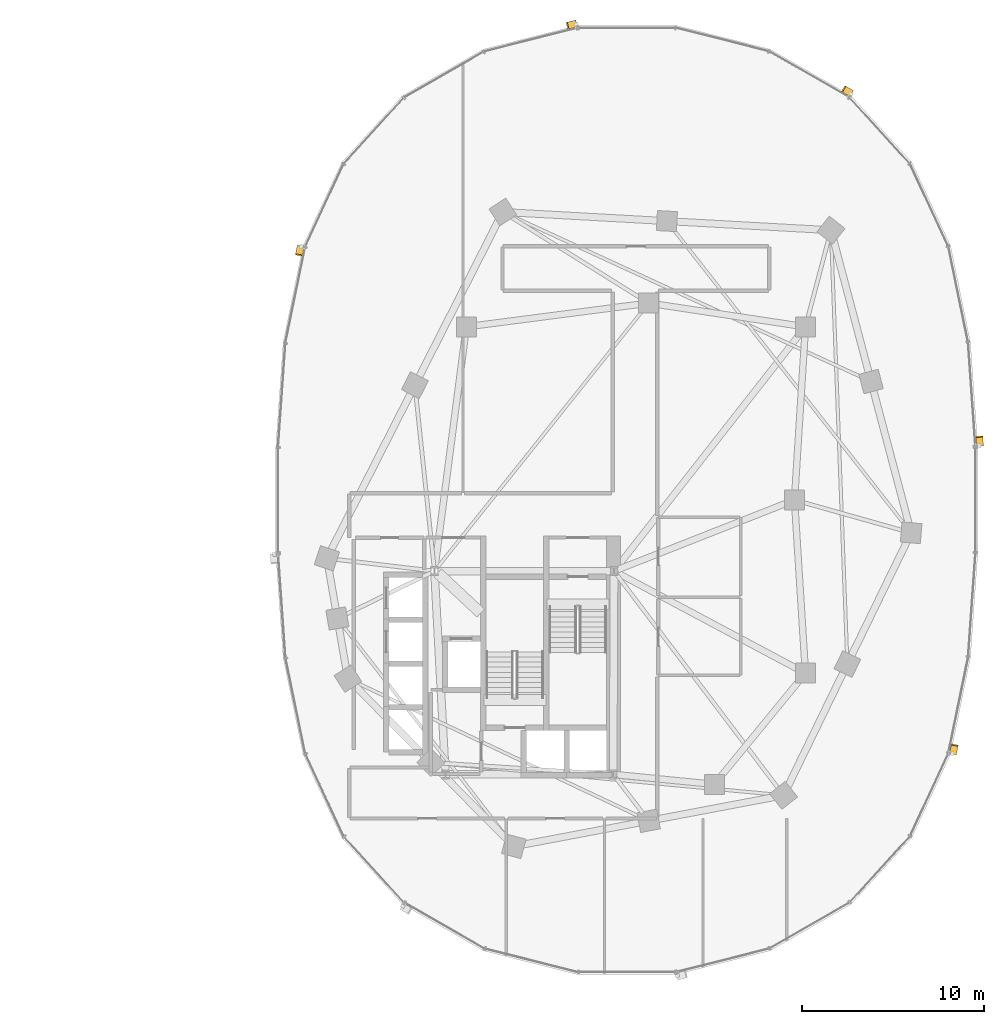
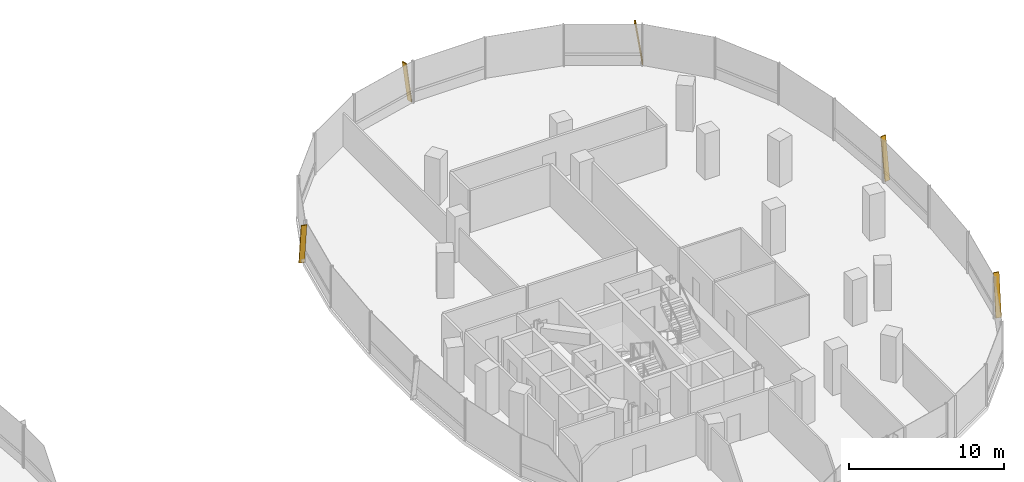
# One storey, part 20 of 20: 5 shading devices.
"""IFC4 building model written with IfcOpenShell, lengths in metres."""

from ifc_helpers import new_model, si_unit, direction, frame, origin, origin_2d, place, context, subcontext, project, spatial, rectangle, extrude, material, material_profile, profile_set, type_object, element, save


model = new_model("IFC4")

# Units and contexts
model_context = context("Model", 3, precision=1e-05, world=origin(), true_north=direction((0.0, 1.0)))
body_context = subcontext(model_context, "Body", "Model", "MODEL_VIEW")
ifc_project = project(units=[si_unit("LENGTHUNIT", "METRE"), si_unit("AREAUNIT", "SQUARE_METRE"), si_unit("VOLUMEUNIT", "CUBIC_METRE"), si_unit("PLANEANGLEUNIT", "RADIAN"), si_unit("MASSUNIT", "GRAM", prefix="KILO"), si_unit("THERMODYNAMICTEMPERATUREUNIT", "KELVIN"), si_unit("POWERUNIT", "WATT")], contexts=[model_context])

# Site, building, storey
site_placement = place(None, origin())
site = spatial("IfcSite", under=ifc_project, at=site_placement, CompositionType="ELEMENT")
building_placement = place(site_placement, origin())
building = spatial("IfcBuilding", under=site, at=building_placement, Name="Cundina Bronze Exchange", CompositionType="ELEMENT")
storey_placement = place(building_placement, frame((0.0, 0.0, 125.0)))
storey = spatial("IfcBuildingStorey", under=building, at=storey_placement, Name="L32", CompositionType="ELEMENT", Elevation=125.0)

# Shading devices
ifc_material = material(Name="Anodised Bronze Aluminium 6063-T6", Category="aluminium")
ifc_material_profile = material_profile(ifc_material, rectangle(XDim=0.070068359375, YDim=0.3798828125, at=origin_2d()), Name="FIN70X380", Category="aluminium")
ifc_profile_set = profile_set([ifc_material_profile], Name="Anodised Bronze Aluminium 6063-T6")
shading_device_type = type_object("IfcShadingDeviceType", Name="SHD-FIN-BRZ380", PredefinedType="USERDEFINED", material=ifc_profile_set)
for number, where, z_axis, x_axis, name in (
    (1, (51.3740234375, 2.993896484375, 0.02001953125), (-0.010224545828, 0.145292278041, 0.989335945271), (0.069450050635, -0.986895284755, 0.145651595925), "L32 Diagonal Bronze Solar Fin 1"),
    (2, (44.314208984375, 22.314208984375, 0.02001953125), (-0.126324692219, 0.072534823274, 0.989333498649), (0.857958278167, -0.492634108109, 0.145668213594), "L32 Diagonal Bronze Solar Fin 5"),
    (3, (29.212646484375, 26.138427734375, 0.02001953125), (-0.141217047268, -0.035711761166, 0.989334329575), (0.95914051701, 0.242552848478, 0.145662570088), "L32 Diagonal Bronze Solar Fin 1"),
    (4, (14.10400390625, 13.911865234375, 0.02001953125), (-0.029413888538, -0.142698109128, 0.989329102378), (0.199728220342, 0.968958570224, 0.145698068578), "L32 Diagonal Bronze Solar Fin 5"),
    (5, (49.89599609375, -13.911865234375, 0.02001953125), (0.029413888538, 0.142698109128, 0.989329102378), (-0.199728220342, -0.968958570224, 0.145698068578), "L32 Diagonal Bronze Solar Fin 5"),
):
    element("IfcShadingDevice", number, at=place(storey_placement, frame(where, z_axis=z_axis, x_axis=x_axis)), inside=storey, type_object=shading_device_type, Name=name, ObjectType="FIN", PredefinedType="USERDEFINED", context=body_context, shape_type="SweptSolid", body=[
        extrude(rectangle(XDim=0.070068359375, YDim=0.3798828125, at=origin_2d()), origin(), (0.0, 0.0, 1.0), 3.295166015625),
    ])

save(model, "model.ifc")
